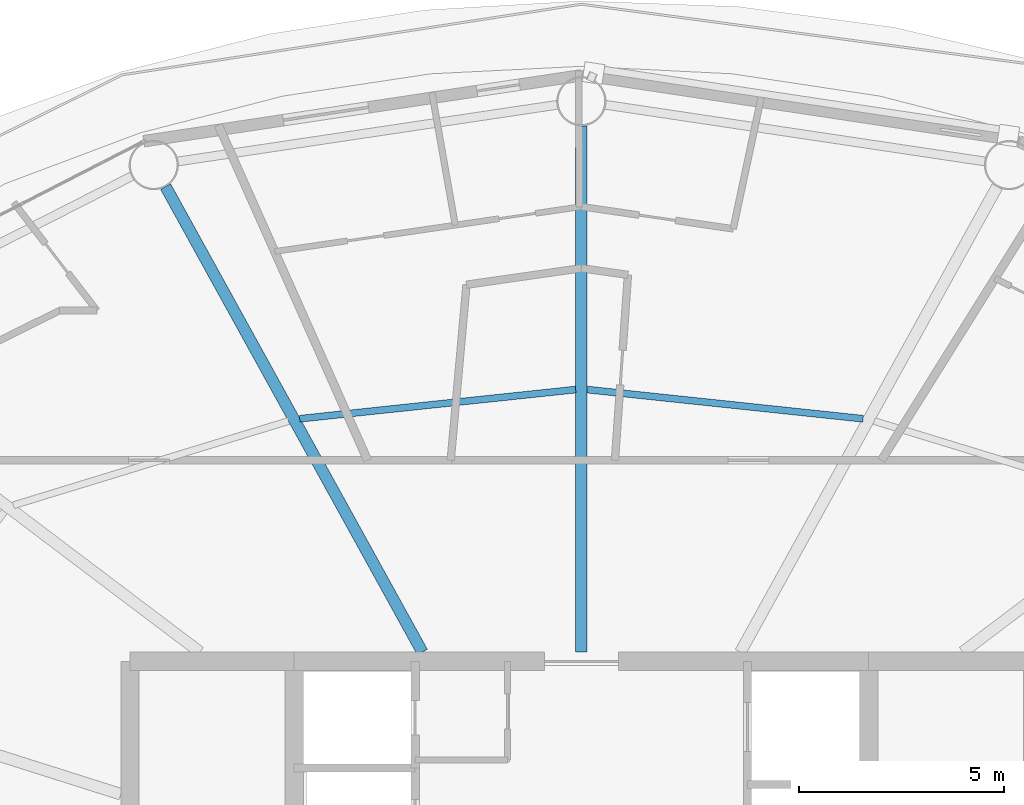
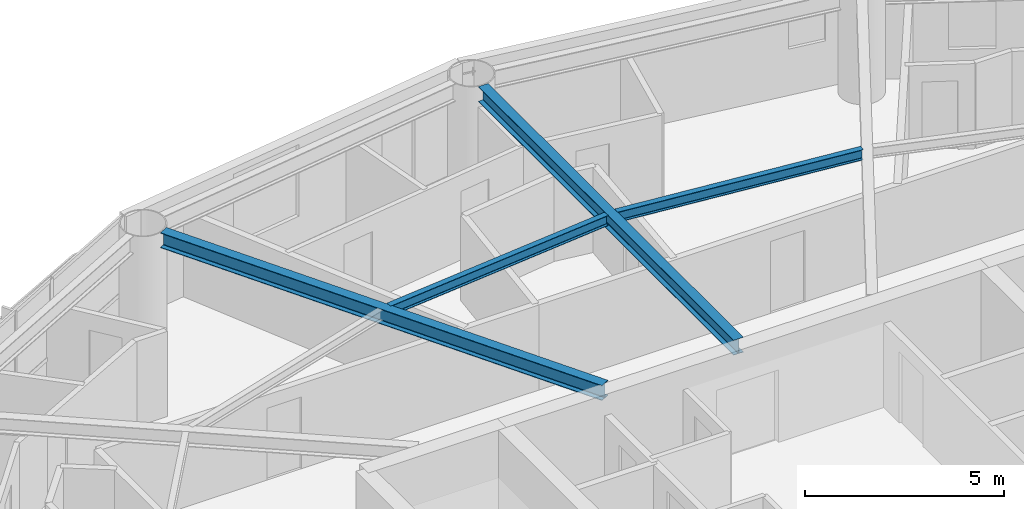
# One storey, part 10 of 28: 4 beams.
"""IFC4 building model written with IfcOpenShell, lengths in metres."""

from ifc_helpers import new_model, si_unit, direction, frame, origin, origin_2d, place, context, subcontext, project, spatial, i_section, extrude, material, material_profile, profile_set, type_object, element, save


model = new_model("IFC4")

# Units and contexts
model_context = context("Model", 3, precision=1e-05, world=origin(), true_north=direction((0.0, 1.0)))
body_context = subcontext(model_context, "Body", "Model", "MODEL_VIEW")
ifc_project = project(units=[si_unit("LENGTHUNIT", "METRE"), si_unit("AREAUNIT", "SQUARE_METRE"), si_unit("VOLUMEUNIT", "CUBIC_METRE"), si_unit("PLANEANGLEUNIT", "RADIAN"), si_unit("MASSUNIT", "GRAM", prefix="KILO")], contexts=[model_context])

# Site, building, storey
site_placement = place(None, origin())
site = spatial("IfcSite", under=ifc_project, at=site_placement, CompositionType="ELEMENT")
building_placement = place(site_placement, origin())
building = spatial("IfcBuilding", under=site, at=building_placement, Name="Sarneth Arch Tower", CompositionType="ELEMENT")
storey_placement = place(building_placement, frame((0.0, 0.0, 197.39990234375)))
storey = spatial("IfcBuildingStorey", under=building, at=storey_placement, Name="L50", CompositionType="ELEMENT", Elevation=197.39990234375)

# Beams
ifc_material_1 = material(Name="Steel S355", Category="steel")
ifc_material_profile_1 = material_profile(ifc_material_1, i_section(OverallWidth=0.1669921875, OverallDepth=0.31689453125, WebThickness=0.007568359375, FlangeThickness=0.01318359375, FilletRadius=0.012939453125, at=origin_2d()), Name="W310x52")
ifc_profile_set_1 = profile_set([ifc_material_profile_1], Name="Steel S355")
beam_type_1 = type_object("IfcBeamType", Name="BM-JOIST-310B", PredefinedType="JOIST", material=ifc_profile_set_1)
for number, where, z_axis, x_axis, name in (
    (1, (54.8642578125, 54.711181640625, 3.091552734375), (-0.994447340543, 0.105235387994, 0.0), (-0.105235387994, -0.994447340543, 0.0), "L50 Secondary floor joist 04"),
    (2, (47.86083984375, 55.4228515625, 3.091552734375), (-0.994447340543, -0.105235387994, 0.0), (0.105235387994, -0.994447340543, 0.0), "L50 Secondary floor joist 05"),
):
    element("IfcBeam", number, at=place(storey_placement, frame(where, z_axis=z_axis, x_axis=x_axis)), inside=storey, type_object=beam_type_1, Name=name, PredefinedType="JOIST", context=body_context, shape_type="SweptSolid", body=[
        extrude(i_section(OverallWidth=0.1669921875, OverallDepth=0.31689453125, WebThickness=0.007568359375, FlangeThickness=0.01318359375, FilletRadius=0.012939453125, at=origin_2d()), origin(), (0.0, 0.0, 1.0), 6.7626953125),
    ])
ifc_material_2 = material(Name="Steel S355", Category="steel")
ifc_material_profile_2 = material_profile(ifc_material_2, i_section(OverallWidth=0.280029296875, OverallDepth=0.462890625, WebThickness=0.0107421875, FlangeThickness=0.017333984375, FilletRadius=0.01806640625, at=origin_2d()), Name="W460x113")
ifc_profile_set_2 = profile_set([ifc_material_profile_2], Name="Steel S355")
beam_type_2 = type_object("IfcBeamType", Name="BM-RAD-460A", PredefinedType="BEAM", material=ifc_profile_set_2)
beam_1_placement = place(storey_placement, frame((48.0, 49.02490234375, 3.0185546875), z_axis=(0.0, 1.0, 0.0), x_axis=(-1.0, 0.0, 0.0)))
element("IfcBeam", 3, at=beam_1_placement, inside=storey, type_object=beam_type_2, Name="L50 Radial floor girder 05", PredefinedType="BEAM", context=body_context, shape_type="SweptSolid", body=[
    extrude(i_section(OverallWidth=0.280029296875, OverallDepth=0.462890625, WebThickness=0.0107421875, FlangeThickness=0.017333984375, FilletRadius=0.01806640625, at=origin_2d()), origin(), (0.0, 0.0, 1.0), 12.8251953125),
])
beam_2_placement = place(storey_placement, frame((44.125, 49.02490234375, 3.0185546875), z_axis=(-0.483010082599, 0.875614789795, 0.0), x_axis=(-0.875614789795, -0.483010082599, 0.0)))
element("IfcBeam", 4, at=beam_2_placement, inside=storey, type_object=beam_type_2, Name="L50 Radial floor girder 06", PredefinedType="BEAM", context=body_context, shape_type="SweptSolid", body=[
    extrude(i_section(OverallWidth=0.280029296875, OverallDepth=0.462890625, WebThickness=0.0107421875, FlangeThickness=0.017333984375, FilletRadius=0.01806640625, at=origin_2d()), origin(), (0.0, 0.0, 1.0), 12.954345703125),
])

save(model, "model.ifc")
